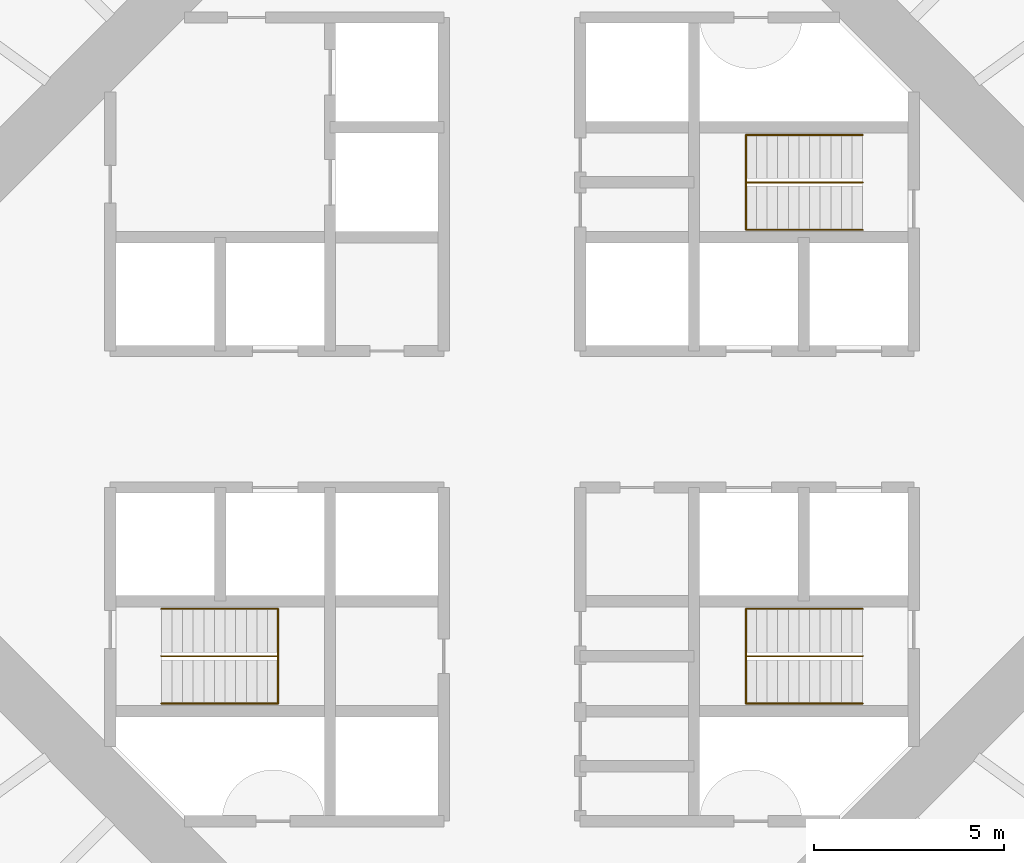
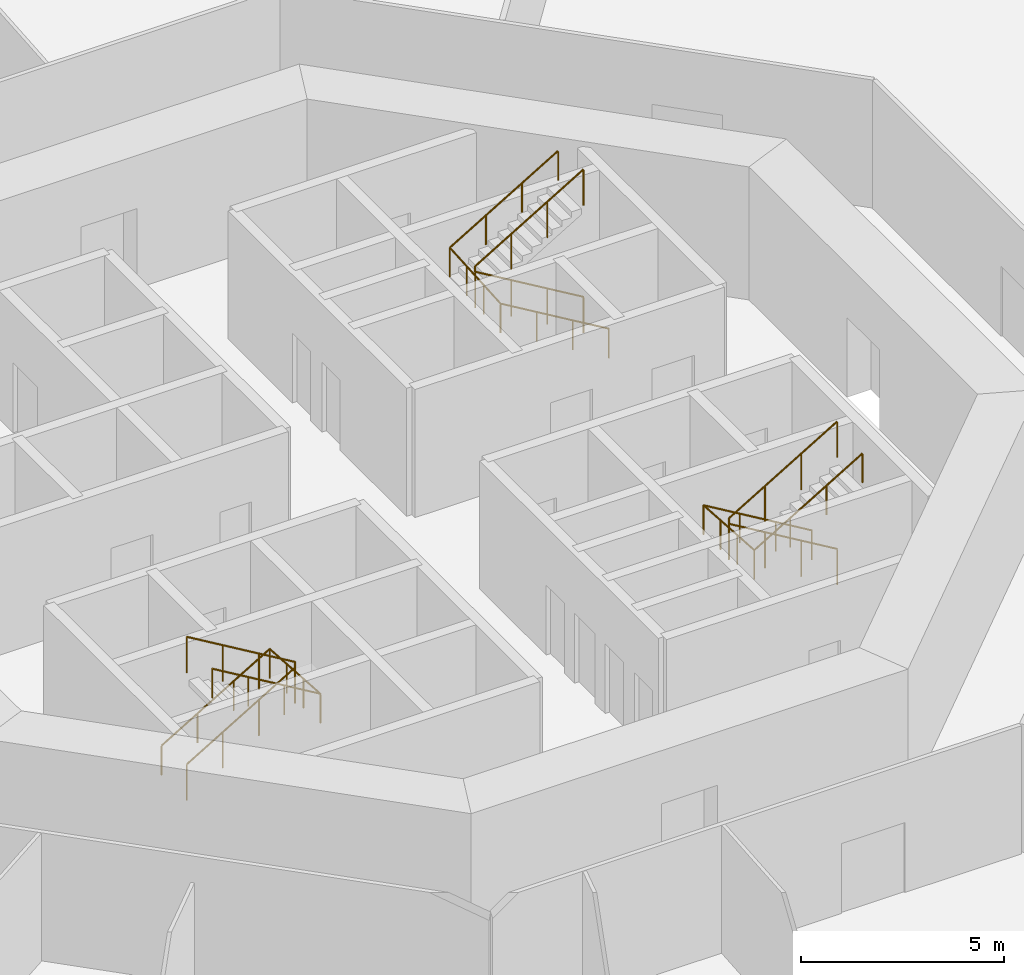
# One storey, part 13 of 13: 6 railings.
"""IFC4 building model written with IfcOpenShell, lengths in metres."""

from ifc_helpers import new_model, si_unit, direction, frame, origin, origin_2d, place, context, subcontext, project, spatial, circle, extrude, material, type_object, element, save


model = new_model("IFC4")

# Units and contexts
model_context = context("Model", 3, precision=1e-05, world=origin(), true_north=direction((0.0, 1.0)))
body_context = subcontext(model_context, "Body", "Model", "MODEL_VIEW")
ifc_project = project(units=[si_unit("LENGTHUNIT", "METRE"), si_unit("AREAUNIT", "SQUARE_METRE"), si_unit("VOLUMEUNIT", "CUBIC_METRE"), si_unit("PLANEANGLEUNIT", "RADIAN"), si_unit("MASSUNIT", "GRAM", prefix="KILO")], contexts=[model_context])

# Site, building, storey
site_placement = place(None, origin())
site = spatial("IfcSite", under=ifc_project, at=site_placement, CompositionType="ELEMENT")
building_placement = place(site_placement, origin())
building = spatial("IfcBuilding", under=site, at=building_placement, Name="Entoto Ring Tower", CompositionType="ELEMENT")
storey_placement = place(building_placement, frame((0.0, 0.0, 42.0)))
storey = spatial("IfcBuildingStorey", under=building, at=storey_placement, Name="L08", CompositionType="ELEMENT", Elevation=42.0)

# Railings
ifc_material_1 = material(Name="Steel S275", Category="steel")
railing_type_1 = type_object("IfcRailingType", Name="Stair guard 1100 mm steel", PredefinedType="GUARDRAIL", material=ifc_material_1)
railing_1_placement = place(storey_placement, frame((99.25, 86.25, 0.166748046875)))
element("IfcRailing", 1, at=railing_1_placement, inside=storey, type_object=railing_type_1, Name="Guard ST1", PredefinedType="GUARDRAIL", context=body_context, shape_type="SweptSolid", body=[
    extrude(circle(Radius=0.02392578125, at=origin_2d()), frame((0.0, 0.0, 1.076171875), z_axis=(-0.859308565015, 0.0, 0.511457515432), x_axis=(0.0, -1.0, 0.0)), (0.0, 0.0, 1.0), 3.58447265625),
    extrude(circle(Radius=0.02392578125, at=origin_2d()), frame((-3.080078125, 0.0, 2.9091796875), z_axis=(0.0, 0.0, 1.0), x_axis=(1.0, 0.0, 0.0)), (0.0, 0.0, 1.0), 0.166748046875),
    extrude(circle(Radius=0.02392578125, at=origin_2d()), frame((-3.080078125, 0.0, 3.076171875), z_axis=(0.859308565015, 0.0, 0.511457515432), x_axis=(0.0, 1.0, 0.0)), (0.0, 0.0, 1.0), 3.58447265625),
    extrude(circle(Radius=0.02099609375, at=origin_2d()), origin(), (0.0, 0.0, 1.0), 1.052001953125),
    extrude(circle(Radius=0.02099609375, at=origin_2d()), frame((-1.026611328125, 0.0, 0.611083984375)), (0.0, 0.0, 1.0), 1.052001953125),
    extrude(circle(Radius=0.02099609375, at=origin_2d()), frame((-2.053466796875, 0.0, 1.22216796875)), (0.0, 0.0, 1.0), 1.052001953125),
    extrude(circle(Radius=0.02099609375, at=origin_2d()), frame((-3.080078125, 0.0, 1.833251953125)), (0.0, 0.0, 1.0), 1.052001953125),
    extrude(circle(Radius=0.02099609375, at=origin_2d()), frame((-3.080078125, 0.0, 2.0)), (0.0, 0.0, 1.0), 1.052001953125),
    extrude(circle(Radius=0.02099609375, at=origin_2d()), frame((-2.053466796875, 0.0, 2.611083984375)), (0.0, 0.0, 1.0), 1.052001953125),
    extrude(circle(Radius=0.02099609375, at=origin_2d()), frame((-1.026611328125, 0.0, 3.22216796875)), (0.0, 0.0, 1.0), 1.052001953125),
    extrude(circle(Radius=0.02099609375, at=origin_2d()), frame((0.0, 0.0, 3.833251953125)), (0.0, 0.0, 1.0), 1.052001953125),
])
railing_2_placement = place(storey_placement, frame((80.75, 73.75, 0.166748046875)))
element("IfcRailing", 2, at=railing_2_placement, inside=storey, type_object=railing_type_1, Name="Guard ST2", PredefinedType="GUARDRAIL", context=body_context, shape_type="SweptSolid", body=[
    extrude(circle(Radius=0.02392578125, at=origin_2d()), frame((0.0, 0.0, 1.076171875), z_axis=(0.859308565015, 0.0, 0.511457515432), x_axis=(0.0, 1.0, 0.0)), (0.0, 0.0, 1.0), 3.58447265625),
    extrude(circle(Radius=0.02392578125, at=origin_2d()), frame((3.080078125, 0.0, 2.9091796875), z_axis=(0.0, 0.0, 1.0), x_axis=(1.0, 0.0, 0.0)), (0.0, 0.0, 1.0), 0.166748046875),
    extrude(circle(Radius=0.02392578125, at=origin_2d()), frame((3.080078125, 0.0, 3.076171875), z_axis=(-0.859308565015, 0.0, 0.511457515432), x_axis=(0.0, -1.0, 0.0)), (0.0, 0.0, 1.0), 3.58447265625),
    extrude(circle(Radius=0.02099609375, at=origin_2d()), origin(), (0.0, 0.0, 1.0), 1.052001953125),
    extrude(circle(Radius=0.02099609375, at=origin_2d()), frame((1.026611328125, 0.0, 0.611083984375)), (0.0, 0.0, 1.0), 1.052001953125),
    extrude(circle(Radius=0.02099609375, at=origin_2d()), frame((2.053466796875, 0.0, 1.22216796875)), (0.0, 0.0, 1.0), 1.052001953125),
    extrude(circle(Radius=0.02099609375, at=origin_2d()), frame((3.080078125, 0.0, 1.833251953125)), (0.0, 0.0, 1.0), 1.052001953125),
    extrude(circle(Radius=0.02099609375, at=origin_2d()), frame((3.080078125, 0.0, 2.0)), (0.0, 0.0, 1.0), 1.052001953125),
    extrude(circle(Radius=0.02099609375, at=origin_2d()), frame((2.053466796875, 0.0, 2.611083984375)), (0.0, 0.0, 1.0), 1.052001953125),
    extrude(circle(Radius=0.02099609375, at=origin_2d()), frame((1.026611328125, 0.0, 3.22216796875)), (0.0, 0.0, 1.0), 1.052001953125),
    extrude(circle(Radius=0.02099609375, at=origin_2d()), frame((0.0, 0.0, 3.833251953125)), (0.0, 0.0, 1.0), 1.052001953125),
])
railing_3_placement = place(storey_placement, frame((99.25, 73.75, 0.166748046875)))
element("IfcRailing", 3, at=railing_3_placement, inside=storey, type_object=railing_type_1, Name="Guard ST3", PredefinedType="GUARDRAIL", context=body_context, shape_type="SweptSolid", body=[
    extrude(circle(Radius=0.02392578125, at=origin_2d()), frame((0.0, 0.0, 1.076171875), z_axis=(-0.859308565015, 0.0, 0.511457515432), x_axis=(0.0, -1.0, 0.0)), (0.0, 0.0, 1.0), 3.58447265625),
    extrude(circle(Radius=0.02392578125, at=origin_2d()), frame((-3.080078125, 0.0, 2.9091796875), z_axis=(0.0, 0.0, 1.0), x_axis=(1.0, 0.0, 0.0)), (0.0, 0.0, 1.0), 0.166748046875),
    extrude(circle(Radius=0.02392578125, at=origin_2d()), frame((-3.080078125, 0.0, 3.076171875), z_axis=(0.859308565015, 0.0, 0.511457515432), x_axis=(0.0, 1.0, 0.0)), (0.0, 0.0, 1.0), 3.58447265625),
    extrude(circle(Radius=0.02099609375, at=origin_2d()), origin(), (0.0, 0.0, 1.0), 1.052001953125),
    extrude(circle(Radius=0.02099609375, at=origin_2d()), frame((-1.026611328125, 0.0, 0.611083984375)), (0.0, 0.0, 1.0), 1.052001953125),
    extrude(circle(Radius=0.02099609375, at=origin_2d()), frame((-2.053466796875, 0.0, 1.22216796875)), (0.0, 0.0, 1.0), 1.052001953125),
    extrude(circle(Radius=0.02099609375, at=origin_2d()), frame((-3.080078125, 0.0, 1.833251953125)), (0.0, 0.0, 1.0), 1.052001953125),
    extrude(circle(Radius=0.02099609375, at=origin_2d()), frame((-3.080078125, 0.0, 2.0)), (0.0, 0.0, 1.0), 1.052001953125),
    extrude(circle(Radius=0.02099609375, at=origin_2d()), frame((-2.053466796875, 0.0, 2.611083984375)), (0.0, 0.0, 1.0), 1.052001953125),
    extrude(circle(Radius=0.02099609375, at=origin_2d()), frame((-1.026611328125, 0.0, 3.22216796875)), (0.0, 0.0, 1.0), 1.052001953125),
    extrude(circle(Radius=0.02099609375, at=origin_2d()), frame((0.0, 0.0, 3.833251953125)), (0.0, 0.0, 1.0), 1.052001953125),
])
ifc_material_2 = material(Name="Steel S275", Category="steel")
railing_type_2 = type_object("IfcRailingType", Name="Stair handrail 900 mm steel", PredefinedType="HANDRAIL", material=ifc_material_2)
railing_4_placement = place(storey_placement, frame((99.25, 85.0, 0.166748046875)))
element("IfcRailing", 4, at=railing_4_placement, inside=storey, type_object=railing_type_2, Name="Handrail ST1", PredefinedType="HANDRAIL", context=body_context, shape_type="SweptSolid", body=[
    extrude(circle(Radius=0.02392578125, at=origin_2d()), frame((0.0, 0.0, 0.8759765625), z_axis=(-0.859308565015, 0.0, 0.511457515432), x_axis=(0.0, -1.0, 0.0)), (0.0, 0.0, 1.0), 3.58447265625),
    extrude(circle(Radius=0.02392578125, at=origin_2d()), frame((-3.080078125, 0.0, 2.708984375), z_axis=(0.0, 0.997783001586, 0.066551346688), x_axis=(-1.0, 0.0, 0.0)), (0.0, 0.0, 1.0), 2.505615234375),
    extrude(circle(Radius=0.02392578125, at=origin_2d()), frame((-3.080078125, 2.5, 2.8759765625), z_axis=(0.859308565015, 0.0, 0.511457515432), x_axis=(0.0, 1.0, 0.0)), (0.0, 0.0, 1.0), 3.58447265625),
    extrude(circle(Radius=0.02099609375, at=origin_2d()), origin(), (0.0, 0.0, 1.0), 0.851806640625),
    extrude(circle(Radius=0.02099609375, at=origin_2d()), frame((-1.026611328125, 0.0, 0.611083984375)), (0.0, 0.0, 1.0), 0.851806640625),
    extrude(circle(Radius=0.02099609375, at=origin_2d()), frame((-2.053466796875, 0.0, 1.22216796875)), (0.0, 0.0, 1.0), 0.851806640625),
    extrude(circle(Radius=0.02099609375, at=origin_2d()), frame((-3.080078125, 0.0, 1.833251953125)), (0.0, 0.0, 1.0), 0.851806640625),
    extrude(circle(Radius=0.02099609375, at=origin_2d()), frame((-3.080078125, 0.833251953125, 1.888916015625)), (0.0, 0.0, 1.0), 0.851806640625),
    extrude(circle(Radius=0.02099609375, at=origin_2d()), frame((-3.080078125, 1.666748046875, 1.9443359375)), (0.0, 0.0, 1.0), 0.851806640625),
    extrude(circle(Radius=0.02099609375, at=origin_2d()), frame((-3.080078125, 2.5, 2.0)), (0.0, 0.0, 1.0), 0.851806640625),
    extrude(circle(Radius=0.02099609375, at=origin_2d()), frame((-2.053466796875, 2.5, 2.611083984375)), (0.0, 0.0, 1.0), 0.851806640625),
    extrude(circle(Radius=0.02099609375, at=origin_2d()), frame((-1.026611328125, 2.5, 3.22216796875)), (0.0, 0.0, 1.0), 0.851806640625),
    extrude(circle(Radius=0.02099609375, at=origin_2d()), frame((0.0, 2.5, 3.833251953125)), (0.0, 0.0, 1.0), 0.851806640625),
])
railing_5_placement = place(storey_placement, frame((80.75, 75.0, 0.166748046875)))
element("IfcRailing", 5, at=railing_5_placement, inside=storey, type_object=railing_type_2, Name="Handrail ST2", PredefinedType="HANDRAIL", context=body_context, shape_type="SweptSolid", body=[
    extrude(circle(Radius=0.02392578125, at=origin_2d()), frame((0.0, 0.0, 0.8759765625), z_axis=(0.859308565015, 0.0, 0.511457515432), x_axis=(0.0, 1.0, 0.0)), (0.0, 0.0, 1.0), 3.58447265625),
    extrude(circle(Radius=0.02392578125, at=origin_2d()), frame((3.080078125, 0.0, 2.708984375), z_axis=(0.0, -0.997783001586, 0.066551346688), x_axis=(1.0, 0.0, 0.0)), (0.0, 0.0, 1.0), 2.505615234375),
    extrude(circle(Radius=0.02392578125, at=origin_2d()), frame((3.080078125, -2.5, 2.8759765625), z_axis=(-0.859308565015, 0.0, 0.511457515432), x_axis=(0.0, -1.0, 0.0)), (0.0, 0.0, 1.0), 3.58447265625),
    extrude(circle(Radius=0.02099609375, at=origin_2d()), origin(), (0.0, 0.0, 1.0), 0.851806640625),
    extrude(circle(Radius=0.02099609375, at=origin_2d()), frame((1.026611328125, 0.0, 0.611083984375)), (0.0, 0.0, 1.0), 0.851806640625),
    extrude(circle(Radius=0.02099609375, at=origin_2d()), frame((2.053466796875, 0.0, 1.22216796875)), (0.0, 0.0, 1.0), 0.851806640625),
    extrude(circle(Radius=0.02099609375, at=origin_2d()), frame((3.080078125, 0.0, 1.833251953125)), (0.0, 0.0, 1.0), 0.851806640625),
    extrude(circle(Radius=0.02099609375, at=origin_2d()), frame((3.080078125, -0.833251953125, 1.888916015625)), (0.0, 0.0, 1.0), 0.851806640625),
    extrude(circle(Radius=0.02099609375, at=origin_2d()), frame((3.080078125, -1.666748046875, 1.9443359375)), (0.0, 0.0, 1.0), 0.851806640625),
    extrude(circle(Radius=0.02099609375, at=origin_2d()), frame((3.080078125, -2.5, 2.0)), (0.0, 0.0, 1.0), 0.851806640625),
    extrude(circle(Radius=0.02099609375, at=origin_2d()), frame((2.053466796875, -2.5, 2.611083984375)), (0.0, 0.0, 1.0), 0.851806640625),
    extrude(circle(Radius=0.02099609375, at=origin_2d()), frame((1.026611328125, -2.5, 3.22216796875)), (0.0, 0.0, 1.0), 0.851806640625),
    extrude(circle(Radius=0.02099609375, at=origin_2d()), frame((0.0, -2.5, 3.833251953125)), (0.0, 0.0, 1.0), 0.851806640625),
])
railing_6_placement = place(storey_placement, frame((99.25, 75.0, 0.166748046875)))
element("IfcRailing", 6, at=railing_6_placement, inside=storey, type_object=railing_type_2, Name="Handrail ST3", PredefinedType="HANDRAIL", context=body_context, shape_type="SweptSolid", body=[
    extrude(circle(Radius=0.02392578125, at=origin_2d()), frame((0.0, 0.0, 0.8759765625), z_axis=(-0.859308565015, 0.0, 0.511457515432), x_axis=(0.0, -1.0, 0.0)), (0.0, 0.0, 1.0), 3.58447265625),
    extrude(circle(Radius=0.02392578125, at=origin_2d()), frame((-3.080078125, 0.0, 2.708984375), z_axis=(0.0, -0.997783001586, 0.066551346688), x_axis=(1.0, 0.0, 0.0)), (0.0, 0.0, 1.0), 2.505615234375),
    extrude(circle(Radius=0.02392578125, at=origin_2d()), frame((-3.080078125, -2.5, 2.8759765625), z_axis=(0.859308565015, 0.0, 0.511457515432), x_axis=(0.0, 1.0, 0.0)), (0.0, 0.0, 1.0), 3.58447265625),
    extrude(circle(Radius=0.02099609375, at=origin_2d()), origin(), (0.0, 0.0, 1.0), 0.851806640625),
    extrude(circle(Radius=0.02099609375, at=origin_2d()), frame((-1.026611328125, 0.0, 0.611083984375)), (0.0, 0.0, 1.0), 0.851806640625),
    extrude(circle(Radius=0.02099609375, at=origin_2d()), frame((-2.053466796875, 0.0, 1.22216796875)), (0.0, 0.0, 1.0), 0.851806640625),
    extrude(circle(Radius=0.02099609375, at=origin_2d()), frame((-3.080078125, 0.0, 1.833251953125)), (0.0, 0.0, 1.0), 0.851806640625),
    extrude(circle(Radius=0.02099609375, at=origin_2d()), frame((-3.080078125, -0.833251953125, 1.888916015625)), (0.0, 0.0, 1.0), 0.851806640625),
    extrude(circle(Radius=0.02099609375, at=origin_2d()), frame((-3.080078125, -1.666748046875, 1.9443359375)), (0.0, 0.0, 1.0), 0.851806640625),
    extrude(circle(Radius=0.02099609375, at=origin_2d()), frame((-3.080078125, -2.5, 2.0)), (0.0, 0.0, 1.0), 0.851806640625),
    extrude(circle(Radius=0.02099609375, at=origin_2d()), frame((-2.053466796875, -2.5, 2.611083984375)), (0.0, 0.0, 1.0), 0.851806640625),
    extrude(circle(Radius=0.02099609375, at=origin_2d()), frame((-1.026611328125, -2.5, 3.22216796875)), (0.0, 0.0, 1.0), 0.851806640625),
    extrude(circle(Radius=0.02099609375, at=origin_2d()), frame((0.0, -2.5, 3.833251953125)), (0.0, 0.0, 1.0), 0.851806640625),
])

save(model, "model.ifc")
